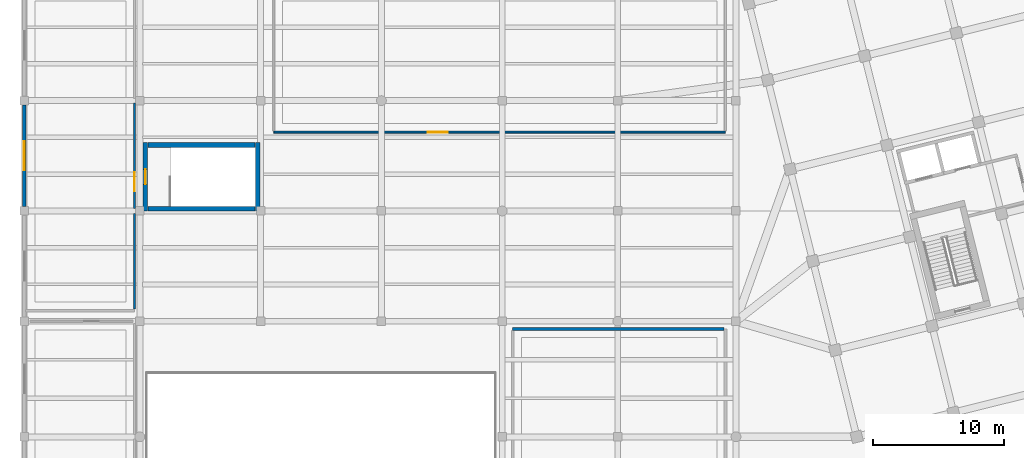
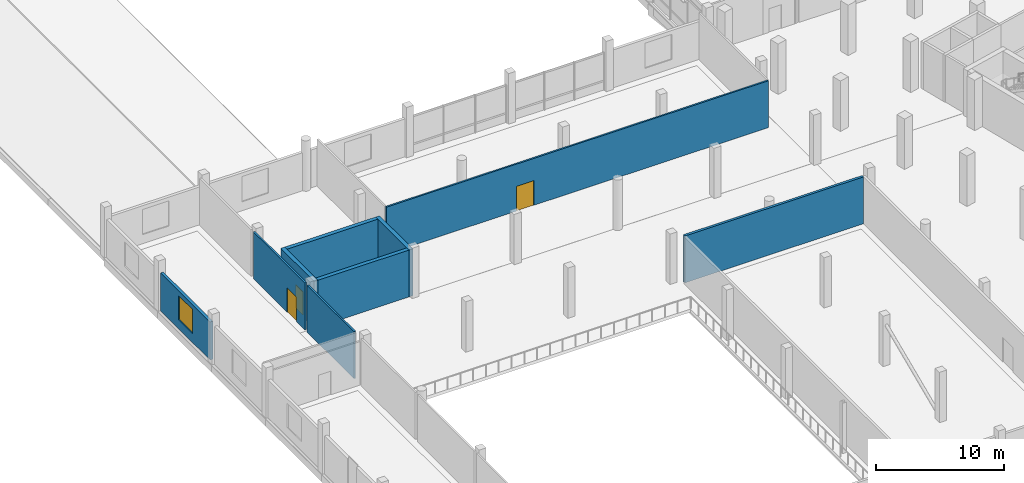
# One storey, part 57 of 71: 9 walls, 3 doors, 1 window, 4 openings.
"""IFC4 building model written with IfcOpenShell, lengths in metres."""

from ifc_helpers import new_model, si_unit, direction, frame, frame_2d, origin, place, context, subcontext, project, spatial, rectangle, extrude, material, layer, layer_set, type_object, element, fill, save


model = new_model("IFC4")

# Units and contexts
model_context = context("Model", 3, precision=1e-05, world=origin(), true_north=direction((0.0, 1.0)))
body_context = subcontext(model_context, "Body", "Model", "MODEL_VIEW")
ifc_project = project(units=[si_unit("LENGTHUNIT", "METRE"), si_unit("AREAUNIT", "SQUARE_METRE"), si_unit("VOLUMEUNIT", "CUBIC_METRE"), si_unit("PLANEANGLEUNIT", "RADIAN"), si_unit("MASSUNIT", "GRAM", prefix="KILO")], contexts=[model_context])

# Site, building, storey
site_placement = place(None, origin())
site = spatial("IfcSite", under=ifc_project, at=site_placement, CompositionType="ELEMENT")
building_placement = place(site_placement, origin())
building = spatial("IfcBuilding", under=site, at=building_placement, Name="Meriwether Solvik Hall", CompositionType="ELEMENT")
storey_placement = place(building_placement, frame((0.0, 0.0, 5.10009765625)))
storey = spatial("IfcBuildingStorey", under=building, at=storey_placement, Name="L01", CompositionType="ELEMENT", Elevation=5.10009765625)

# Walls
ifc_material_1 = material(Name="Acoustic Mineral-Wool Double Gypsum Board", Category="gypsum")
ifc_layer_1 = layer(ifc_material_1, 0.219970703125)
ifc_layer_set_1 = layer_set([ifc_layer_1], Name="Acoustic Mineral-Wool Double Gypsum Board")
wall_type_1 = type_object("IfcWallType", Name="WALL-ACST-220", PredefinedType="PARTITIONING", material=ifc_layer_set_1)
wall_1_placement = place(storey_placement, frame((58.47998046875, 49.39990234375, 0.0), z_axis=(0.0, 0.0, 1.0), x_axis=(-1.0, 0.0, 0.0)))
element("IfcWall", 1, at=wall_1_placement, inside=storey, type_object=wall_type_1, Name="L01 Interior Partition ac_media_n", PredefinedType="PARTITIONING", context=body_context, shape_type="SweptSolid", body=[
    extrude(rectangle(XDim=16.080078125, YDim=0.219970703125, at=frame_2d((8.0400390625, 0.0))), origin(), (0.0, 0.0, 1.0), 4.469970703125),
])
ifc_material_2 = material(Name="Double-Layer Acoustic Gypsum Board", Category="gypsum")
ifc_layer_2 = layer(ifc_material_2, 0.1650390625)
ifc_layer_set_2 = layer_set([ifc_layer_2], Name="Double-Layer Acoustic Gypsum Board")
wall_type_2 = type_object("IfcWallType", Name="WALL-DEM-165", PredefinedType="PARTITIONING", material=ifc_layer_set_2)
wall_2_placement = place(storey_placement, frame((13.60009765625, 50.919921875, 0.0), z_axis=(0.0, 0.0, 1.0), x_axis=(0.0, 1.0, 0.0)))
element("IfcWall", 2, at=wall_2_placement, inside=storey, type_object=wall_type_2, Name="L01 Interior Partition music_adm_e", PredefinedType="PARTITIONING", context=body_context, shape_type="SweptSolid", body=[
    extrude(rectangle(XDim=7.299560546875, YDim=0.1650390625, at=frame_2d((3.64990234375, 0.0))), origin(), (0.0, 0.0, 1.0), 4.469970703125),
])

# Wall, opening, door
wall_3_placement = place(storey_placement, frame((13.60009765625, 58.58056640625, 0.0), z_axis=(0.0, 0.0, 1.0), x_axis=(0.0, 1.0, 0.0)))
wall_3 = element("IfcWall", 3, at=wall_3_placement, inside=storey, type_object=wall_type_2, Name="L01 Interior Partition music_adm_e_s2", PredefinedType="PARTITIONING", context=body_context, shape_type="SweptSolid", body=[
    extrude(rectangle(XDim=8.038818359375, YDim=0.1650390625, at=frame_2d((4.01953125, 0.0))), origin(), (0.0, 0.0, 1.0), 4.469970703125),
])
opening_1_placement = place(wall_3_placement, frame((1.31787109375, 0.0, 0.0)))
opening_1 = element("IfcOpeningElement", 4, at=opening_1_placement, cuts=wall_3, Name="Opening D-152", PredefinedType="OPENING", context=body_context, shape_type="SweptSolid", body=[
    extrude(rectangle(XDim=1.449951171875, YDim=2.35009765625, at=frame_2d((0.72509765625, 1.175048828125))), frame((0.0, 0.094482421875, 0.0), z_axis=(0.0, -1.0, 0.0), x_axis=(1.0, 0.0, 0.0)), (0.0, 0.0, 1.0), 0.18896484375),
])
ifc_material_3 = material(Name="Laminated Vision Glass and Solid White Oak Timber", Category="wood")
door_type_1 = type_object("IfcDoorType", Name="DR-CONF-1450", OperationType="DOUBLE_DOOR_SINGLE_SWING", PredefinedType="DOOR", material=ifc_material_3)
door_1_placement = place(opening_1_placement, origin())
door_1 = element("IfcDoor", 5, at=door_1_placement, inside=storey, type_object=door_type_1, Name="Community Program Operations Office Door", OperationType="DOUBLE_DOOR_SINGLE_SWING", OverallHeight=2.35009765625, OverallWidth=1.449951171875, PredefinedType="DOOR", context=body_context, shape_type="SweptSolid", body=[
    extrude(rectangle(XDim=1.449951171875, YDim=2.35009765625, at=frame_2d((0.72509765625, 1.175048828125))), frame((0.0, 0.02490234375, 0.0), z_axis=(0.0, -1.0, 0.0), x_axis=(1.0, 0.0, 0.0)), (0.0, 0.0, 1.0), 0.050048828125),
])
fill(opening_1, door_1)

# Wall, opening, window
ifc_material_4 = material(Name="Terracotta Cladding on Concrete C40/50", Category="masonry")
ifc_layer_3 = layer(ifc_material_4, 0.2548828125)
ifc_layer_set_3 = layer_set([ifc_layer_3], Name="Terracotta Cladding on Concrete C40/50")
wall_type_3 = type_object("IfcWallType", Name="WALL-EXT-255", PredefinedType="SOLIDWALL", material=ifc_layer_set_3)
wall_4_placement = place(storey_placement, frame((5.199951171875, 58.737060546875, 0.0), z_axis=(0.0, 0.0, 1.0), x_axis=(0.0, 1.0, 0.0)))
wall_4 = element("IfcWall", 6, at=wall_4_placement, inside=storey, type_object=wall_type_3, Name="L01 W Wing Facade Wall Y1_7_42", PredefinedType="SOLIDWALL", context=body_context, shape_type="SweptSolid", body=[
    extrude(rectangle(XDim=7.725830078125, YDim=0.2548828125, at=frame_2d((3.86279296875, 0.0))), origin(), (0.0, 0.0, 1.0), 3.60986328125),
])
opening_2_placement = place(wall_4_placement, frame((2.762939453125, 0.0, 0.85009765625)))
opening_2 = element("IfcOpeningElement", 7, at=opening_2_placement, cuts=wall_4, Name="Opening WN-175", PredefinedType="OPENING", context=body_context, shape_type="SweptSolid", body=[
    extrude(rectangle(XDim=2.199951171875, YDim=2.300048828125, at=frame_2d((1.10009765625, 1.14990234375))), frame((0.0, 0.139404296875, 0.0), z_axis=(0.0, -1.0, 0.0), x_axis=(1.0, 0.0, 0.0)), (0.0, 0.0, 1.0), 0.27880859375),
])
ifc_material_5 = material(Name="Thermally Broken Anodised Aluminium and Triple Low-E Glass", Category="aluminium")
window_type = type_object("IfcWindowType", Name="WIN-POD-WEST-220X230", PartitioningType="SINGLE_PANEL", PredefinedType="WINDOW", material=ifc_material_5)
window_placement = place(opening_2_placement, origin())
window = element("IfcWindow", 8, at=window_placement, inside=storey, type_object=window_type, Name="L01 W Window Y1_7_42", OverallHeight=2.300048828125, OverallWidth=2.199951171875, PartitioningType="SINGLE_PANEL", PredefinedType="WINDOW", context=body_context, shape_type="SweptSolid", body=[
    extrude(rectangle(XDim=2.199951171875, YDim=2.300048828125, at=frame_2d((1.10009765625, 1.14990234375))), frame((0.0, 0.030029296875, 0.0), z_axis=(0.0, -1.0, 0.0), x_axis=(1.0, 0.0, 0.0)), (0.0, 0.0, 1.0), 0.06005859375),
])
fill(opening_2, window)

# Wall, opening, door
ifc_material_6 = material(Name="Gypsum Board Partition", Category="gypsum")
ifc_layer_4 = layer(ifc_material_6, 0.14990234375)
ifc_layer_set_4 = layer_set([ifc_layer_4], Name="Gypsum Board Partition")
wall_type_4 = type_object("IfcWallType", Name="WALL-PART-150", PredefinedType="PARTITIONING", material=ifc_layer_set_4)
wall_5_placement = place(storey_placement, frame((24.199951171875, 64.39990234375, 0.0), z_axis=(0.0, 0.0, 1.0), x_axis=(1.0, 0.0, 0.0)))
wall_5 = element("IfcWall", 9, at=wall_5_placement, inside=storey, type_object=wall_type_4, Name="L01 Interior Partition nw_craft_s", PredefinedType="PARTITIONING", context=body_context, shape_type="SweptSolid", body=[
    extrude(rectangle(XDim=34.400146484375, YDim=0.14990234375, at=frame_2d((17.2001953125, 0.0))), origin(), (0.0, 0.0, 1.0), 4.469970703125),
])
opening_3_placement = place(wall_5_placement, frame((11.71728515625, 0.0, 0.0)))
opening_3 = element("IfcOpeningElement", 10, at=opening_3_placement, cuts=wall_5, Name="Opening D-169", PredefinedType="OPENING", context=body_context, shape_type="SweptSolid", body=[
    extrude(rectangle(XDim=1.550048828125, YDim=2.35009765625, at=frame_2d((0.77490234375, 1.175048828125))), frame((0.0, 0.0869140625, 0.0), z_axis=(0.0, -1.0, 0.0), x_axis=(1.0, 0.0, 0.0)), (0.0, 0.0, 1.0), 0.173828125),
])
ifc_material_7 = material(Name="Laminated Vision Glass and Solid White Oak Timber", Category="wood")
door_type_2 = type_object("IfcDoorType", Name="DR-MKR-1550", OperationType="DOUBLE_DOOR_SINGLE_SWING", PredefinedType="DOOR", material=ifc_material_7)
door_2_placement = place(opening_3_placement, origin())
door_2 = element("IfcDoor", 11, at=door_2_placement, inside=storey, type_object=door_type_2, Name="Civic Arts and Ceramic Studio Door", OperationType="DOUBLE_DOOR_SINGLE_SWING", OverallHeight=2.35009765625, OverallWidth=1.550048828125, PredefinedType="DOOR", context=body_context, shape_type="SweptSolid", body=[
    extrude(rectangle(XDim=1.550048828125, YDim=2.35009765625, at=frame_2d((0.77490234375, 1.175048828125))), frame((0.0, 0.02490234375, 0.0), z_axis=(0.0, -1.0, 0.0), x_axis=(1.0, 0.0, 0.0)), (0.0, 0.0, 1.0), 0.050048828125),
])
fill(opening_3, door_2)

ifc_material_8 = material(Name="Concrete C40/50", Category="concrete")
ifc_layer_5 = layer(ifc_material_8, 0.35009765625)
ifc_layer_set_5 = layer_set([ifc_layer_5], Name="Concrete C40/50")
wall_type_5 = type_object("IfcWallType", Name="WALL-RC-350", PredefinedType="SHEAR", material=ifc_layer_set_5)
wall_6_placement = place(storey_placement, frame((14.425048828125, 63.60009765625, 0.0), z_axis=(0.0, 0.0, 1.0), x_axis=(0.0, -1.0, 0.0)))
wall_6 = element("IfcWall", 12, at=wall_6_placement, inside=storey, type_object=wall_type_5, Name="CORE-4 Shear Wall W (L01)", PredefinedType="SHEAR", context=body_context, shape_type="SweptSolid", body=[
    extrude(rectangle(XDim=5.2001953125, YDim=0.35009765625, at=frame_2d((2.60009765625, 0.0))), origin(), (0.0, 0.0, 1.0), 4.469970703125),
])
opening_4_placement = place(wall_6_placement, frame((2.02490234375, 0.0, 0.0)))
opening_4 = element("IfcOpeningElement", 13, at=opening_4_placement, cuts=wall_6, Name="Opening D-189", PredefinedType="OPENING", context=body_context, shape_type="SweptSolid", body=[
    extrude(rectangle(XDim=1.14990234375, YDim=2.199951171875, at=frame_2d((0.574951171875, 1.10009765625))), frame((0.0, 0.18701171875, 0.0), z_axis=(0.0, -1.0, 0.0), x_axis=(1.0, 0.0, 0.0)), (0.0, 0.0, 1.0), 0.3740234375),
])
ifc_material_9 = material(Name="Steel A36 Galvanised", Category="steel")
door_type_3 = type_object("IfcDoorType", Name="DR-FD90-1150L", OperationType="SINGLE_SWING_LEFT", PredefinedType="DOOR", material=ifc_material_9)
door_3_placement = place(opening_4_placement, origin())
door_3 = element("IfcDoor", 14, at=door_3_placement, inside=storey, type_object=door_type_3, Name="Stair ST-04 Smokeproof Exit Door (L01)", OperationType="SINGLE_SWING_LEFT", OverallHeight=2.199951171875, OverallWidth=1.14990234375, PredefinedType="DOOR", context=body_context, shape_type="SweptSolid", body=[
    extrude(rectangle(XDim=1.14990234375, YDim=2.199951171875, at=frame_2d((0.574951171875, 1.10009765625))), frame((0.0, 0.02490234375, 0.0), z_axis=(0.0, -1.0, 0.0), x_axis=(1.0, 0.0, 0.0)), (0.0, 0.0, 1.0), 0.050048828125),
])
fill(opening_4, door_3)

# Walls
wall_7_placement = place(storey_placement, frame((22.97509765625, 58.39990234375, 0.0), z_axis=(0.0, 0.0, 1.0), x_axis=(0.0, 1.0, 0.0)))
element("IfcWall", 15, at=wall_7_placement, inside=storey, type_object=wall_type_5, Name="CORE-4 Shear Wall E (L01)", PredefinedType="SHEAR", context=body_context, shape_type="SweptSolid", body=[
    extrude(rectangle(XDim=5.2001953125, YDim=0.35009765625, at=frame_2d((2.60009765625, 0.0))), origin(), (0.0, 0.0, 1.0), 4.469970703125),
])
for number, where, z_axis, x_axis, name in (
    (16, (14.610107421875, 58.574951171875, 0.0), (0.0, 0.0, 1.0), (1.0, 0.0, 0.0), "CORE-4 Shear Wall S (L01)"),
    (17, (22.7900390625, 63.425048828125, 0.0), (0.0, 0.0, 1.0), (-1.0, 0.0, 0.0), "CORE-4 Shear Wall N (L01)"),
):
    element("IfcWall", number, at=place(storey_placement, frame(where, z_axis=z_axis, x_axis=x_axis)), inside=storey, type_object=wall_type_5, Name=name, PredefinedType="SHEAR", context=body_context, shape_type="SweptSolid", body=[
        extrude(rectangle(XDim=8.179931640625, YDim=0.35009765625, at=frame_2d((4.08984375, 0.0))), origin(), (0.0, 0.0, 1.0), 4.469970703125),
    ])

save(model, "model.ifc")
